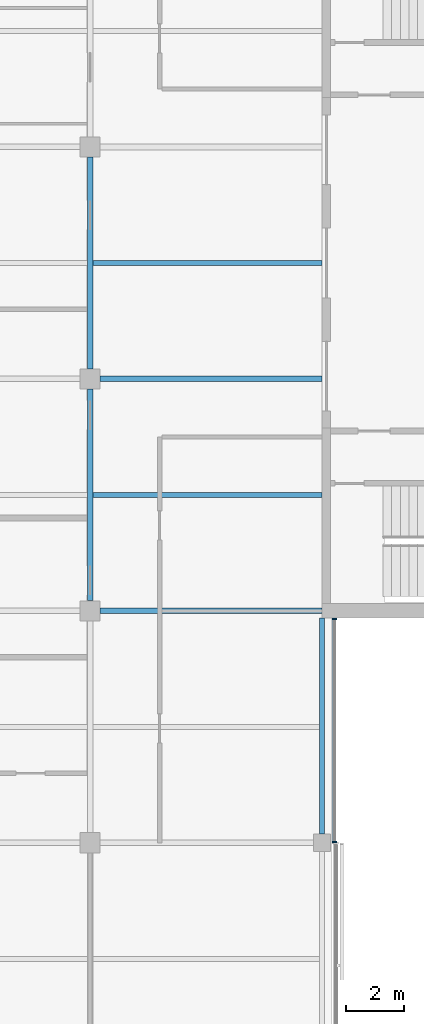
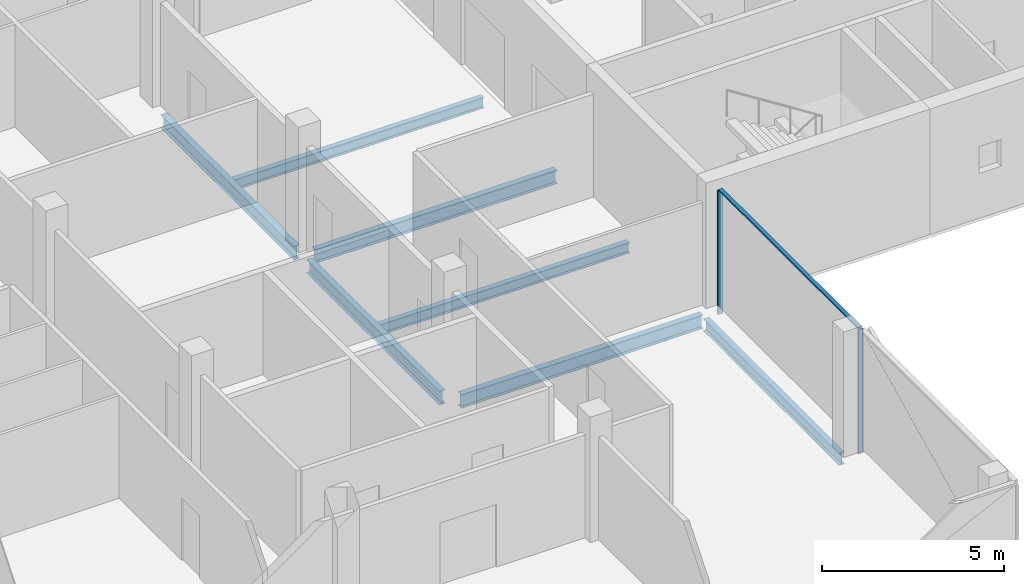
# One storey, part 4 of 16: 7 beams, 3 members, 1 element without a shape of its own.
"""IFC4 building model written with IfcOpenShell, lengths in metres."""

from ifc_helpers import new_model, si_unit, direction, frame, origin, origin_2d, place, context, subcontext, project, spatial, rectangle, i_section, extrude, material, material_profile, profile_set, type_object, element, aggregate, save


model = new_model("IFC4")

# Units and contexts
model_context = context("Model", 3, precision=1e-05, world=origin(), true_north=direction((0.0, 1.0)))
body_context = subcontext(model_context, "Body", "Model", "MODEL_VIEW")
ifc_project = project(units=[si_unit("LENGTHUNIT", "METRE"), si_unit("AREAUNIT", "SQUARE_METRE"), si_unit("VOLUMEUNIT", "CUBIC_METRE"), si_unit("PLANEANGLEUNIT", "RADIAN"), si_unit("MASSUNIT", "GRAM", prefix="KILO")], contexts=[model_context])

# Site, building, storey
site_placement = place(None, origin())
site = spatial("IfcSite", under=ifc_project, at=site_placement, CompositionType="ELEMENT")
building_placement = place(site_placement, origin())
building = spatial("IfcBuilding", under=site, at=building_placement, Name="Crosswind Convention Tower", CompositionType="ELEMENT")
storey_placement = place(building_placement, frame((0.0, 0.0, 274.5)))
storey = spatial("IfcBuildingStorey", under=building, at=storey_placement, Name="L59", CompositionType="ELEMENT", Elevation=274.5)

# Beams
ifc_material_1 = material(Name="Steel S355", Category="steel")
ifc_material_profile_1 = material_profile(ifc_material_1, i_section(OverallWidth=0.177734375, OverallDepth=0.406494140625, WebThickness=0.0078125, FlangeThickness=0.0126953125, FilletRadius=0.01025390625, at=origin_2d()), Name="UB 406x178x60")
ifc_profile_set_1 = profile_set([ifc_material_profile_1], Name="Steel S355")
beam_type_1 = type_object("IfcBeamType", Name="Edge beam UB 406x178x60", PredefinedType="SPANDREL", material=ifc_profile_set_1)
beam_placement = place(storey_placement, frame((137.0, 80.300048828125, -0.503173828125), z_axis=(0.0, 1.0, 0.0), x_axis=(-1.0, 0.0, 0.0)))
element("IfcBeam", 1, at=beam_placement, inside=storey, type_object=beam_type_1, Name="B15 L59 edge beam 12", PredefinedType="SPANDREL", context=body_context, shape_type="SweptSolid", body=[
    extrude(i_section(OverallWidth=0.177734375, OverallDepth=0.406494140625, WebThickness=0.0078125, FlangeThickness=0.0126953125, FilletRadius=0.01025390625, at=origin_2d()), origin(), (0.0, 0.0, 1.0), 7.449951171875),
])
ifc_material_profile_2 = material_profile(ifc_material_1, i_section(OverallWidth=0.18994140625, OverallDepth=0.45361328125, WebThickness=0.008544921875, FlangeThickness=0.0126953125, FilletRadius=0.01025390625, at=origin_2d()), Name="UB 457x191x67")
ifc_profile_set_2 = profile_set([ifc_material_profile_2], Name="Steel S355")
beam_type_2 = type_object("IfcBeamType", Name="Girder UB 457x191x67", PredefinedType="BEAM", material=ifc_profile_set_2)
for number, where, z_axis, x_axis, name in (
    (2, (129.0, 88.35009765625, -0.52685546875), (0.0, 1.0, 0.0), (-1.0, 0.0, 0.0), "B1 L59 girder 18"),
    (3, (129.0, 96.35009765625, -0.52685546875), (0.0, 1.0, 0.0), (-1.0, 0.0, 0.0), "B1 L59 girder 19"),
):
    element("IfcBeam", number, at=place(storey_placement, frame(where, z_axis=z_axis, x_axis=x_axis)), inside=storey, type_object=beam_type_2, Name=name, PredefinedType="BEAM", context=body_context, shape_type="SweptSolid", body=[
        extrude(i_section(OverallWidth=0.18994140625, OverallDepth=0.45361328125, WebThickness=0.008544921875, FlangeThickness=0.0126953125, FilletRadius=0.01025390625, at=origin_2d()), origin(), (0.0, 0.0, 1.0), 7.2998046875),
    ])
ifc_material_profile_3 = material_profile(ifc_material_1, i_section(OverallWidth=0.1904296875, OverallDepth=0.457275390625, WebThickness=0.009033203125, FlangeThickness=0.014404296875, FilletRadius=0.01025390625, at=origin_2d()), Name="UB 457x191x75")
ifc_profile_set_3 = profile_set([ifc_material_profile_3], Name="Steel S355")
beam_type_3 = type_object("IfcBeamType", Name="Girder at core wall UB 457x191x75", PredefinedType="BEAM", material=ifc_profile_set_3)
for number, where, z_axis, x_axis, name in (
    (4, (129.35009765625, 88.0, -0.528564453125), (1.0, 0.0, 0.0), (0.0, 1.0, 0.0), "B22 L59 girder at core wall 5"),
    (5, (129.35009765625, 96.0, -0.528564453125), (1.0, 0.0, 0.0), (0.0, 1.0, 0.0), "B22 L59 girder at core wall 6"),
):
    element("IfcBeam", number, at=place(storey_placement, frame(where, z_axis=z_axis, x_axis=x_axis)), inside=storey, type_object=beam_type_3, Name=name, PredefinedType="BEAM", context=body_context, shape_type="SweptSolid", body=[
        extrude(i_section(OverallWidth=0.1904296875, OverallDepth=0.457275390625, WebThickness=0.009033203125, FlangeThickness=0.014404296875, FilletRadius=0.01025390625, at=origin_2d()), origin(), (0.0, 0.0, 1.0), 7.64990234375),
    ])

# Curtain wall, members
ifc_material_2 = material(Name="Aluminium unitised curtain wall", Category="aluminium")
curtain_wall_type = type_object("IfcCurtainWallType", Name="CORE END SLOT WALL 160", PredefinedType="USERDEFINED", material=ifc_material_2)
curtain_wall_placement = place(storey_placement, origin())
curtain_wall = element("IfcCurtainWall", 6, at=curtain_wall_placement, inside=storey, type_object=curtain_wall_type, Name="CW6 L59 S-E.1-2 slot", ObjectType="UNITISED", PredefinedType="USERDEFINED")
ifc_material_3 = material(Name="Aluminium mullion", Category="aluminium")
ifc_material_profile_4 = material_profile(ifc_material_3, rectangle(XDim=0.159912109375, YDim=0.050048828125, at=origin_2d()), Name="AL 160X50")
ifc_profile_set_4 = profile_set([ifc_material_profile_4], Name="Aluminium mullion")
member_type_1 = type_object("IfcMemberType", Name="MULLION 50X160", PredefinedType="MULLION", material=ifc_profile_set_4)
member_1_placement = place(storey_placement, frame((137.429931640625, 80.02490234375, -0.300048828125), z_axis=(0.0, 0.0, 1.0), x_axis=(1.0, 0.0, 0.0)))
member_1 = element("IfcMember", 7, at=member_1_placement, type_object=member_type_1, Name="CW6 mullion 1", PredefinedType="MULLION", context=body_context, shape_type="SweptSolid", body=[
    extrude(rectangle(XDim=0.159912109375, YDim=0.050048828125, at=origin_2d()), origin(), (0.0, 0.0, 1.0), 4.150146484375),
])
member_2_placement = place(storey_placement, frame((137.429931640625, 87.72509765625, -0.300048828125), z_axis=(0.0, 0.0, 1.0), x_axis=(1.0, 0.0, 0.0)))
member_2 = element("IfcMember", 8, at=member_2_placement, type_object=member_type_1, Name="CW6 mullion 2", PredefinedType="MULLION", context=body_context, shape_type="SweptSolid", body=[
    extrude(rectangle(XDim=0.159912109375, YDim=0.050048828125, at=origin_2d()), origin(), (0.0, 0.0, 1.0), 4.150146484375),
])

# Beams
ifc_material_profile_5 = material_profile(ifc_material_1, i_section(OverallWidth=0.17138671875, OverallDepth=0.355712890625, WebThickness=0.00732421875, FlangeThickness=0.011474609375, FilletRadius=0.01025390625, at=origin_2d()), Name="UB 356x171x51")
ifc_profile_set_5 = profile_set([ifc_material_profile_5], Name="Steel S355")
beam_type_4 = type_object("IfcBeamType", Name="Secondary beam UB 356x171x51", PredefinedType="JOIST", material=ifc_profile_set_5)
for number, where, z_axis, x_axis, name in (
    (9, (129.094970703125, 92.0, -0.477783203125), (1.0, 0.0, 0.0), (0.0, 1.0, 0.0), "B8 L59 secondary beam 17"),
    (10, (129.094970703125, 100.0, -0.477783203125), (1.0, 0.0, 0.0), (0.0, 1.0, 0.0), "B8 L59 secondary beam 18"),
):
    element("IfcBeam", number, at=place(storey_placement, frame(where, z_axis=z_axis, x_axis=x_axis)), inside=storey, type_object=beam_type_4, Name=name, PredefinedType="JOIST", context=body_context, shape_type="SweptSolid", body=[
        extrude(i_section(OverallWidth=0.17138671875, OverallDepth=0.355712890625, WebThickness=0.00732421875, FlangeThickness=0.011474609375, FilletRadius=0.01025390625, at=origin_2d()), origin(), (0.0, 0.0, 1.0), 7.905029296875),
    ])

# Member
ifc_material_4 = material(Name="Aluminium transom", Category="aluminium")
ifc_material_profile_6 = material_profile(ifc_material_4, rectangle(XDim=0.1201171875, YDim=0.050048828125, at=origin_2d()), Name="AL 120X50")
ifc_profile_set_6 = profile_set([ifc_material_profile_6], Name="Aluminium transom")
member_type_2 = type_object("IfcMemberType", Name="TRANSOM 50X120", PredefinedType="USERDEFINED", material=ifc_profile_set_6)
member_3_placement = place(storey_placement, frame((137.429931640625, 80.050048828125, 3.875), z_axis=(0.0, 1.0, 0.0), x_axis=(-1.0, 0.0, 0.0)))
member_3 = element("IfcMember", 11, at=member_3_placement, type_object=member_type_2, Name="CW6 transom", ObjectType="TRANSOM", PredefinedType="USERDEFINED", context=body_context, shape_type="SweptSolid", body=[
    extrude(rectangle(XDim=0.1201171875, YDim=0.050048828125, at=origin_2d()), origin(), (0.0, 0.0, 1.0), 7.64990234375),
])

aggregate(curtain_wall, [member_1, member_2, member_3])

save(model, "model.ifc")
